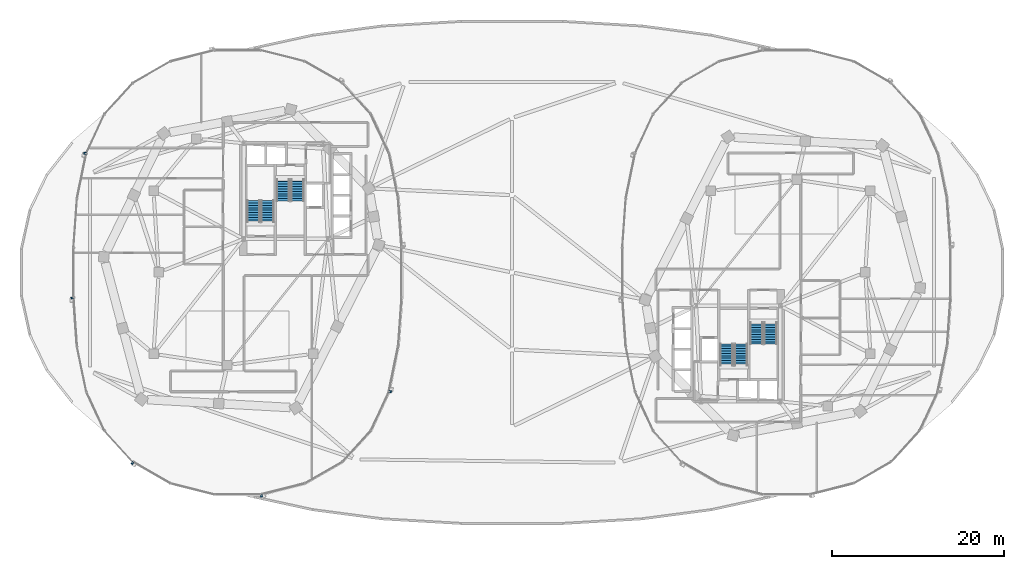
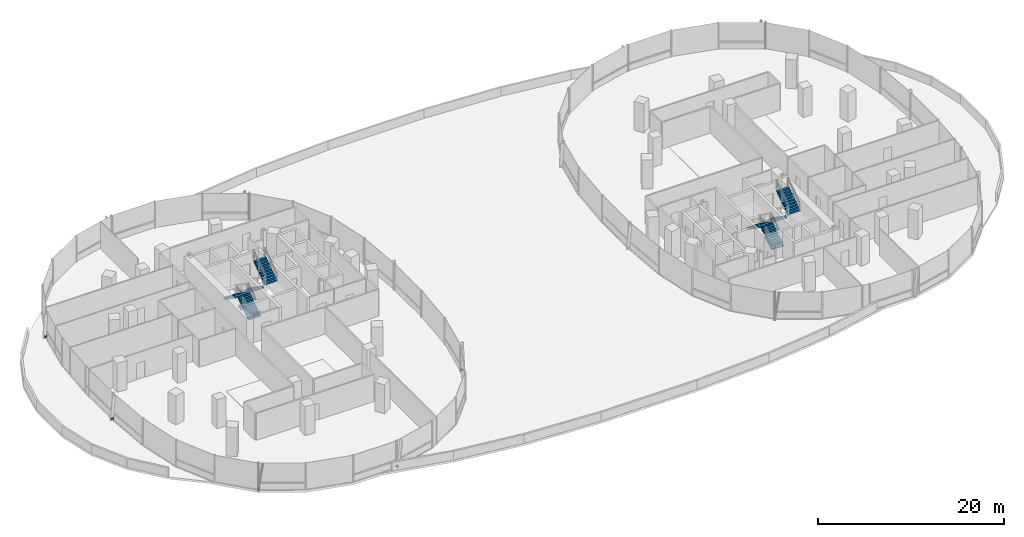
# One storey, part 22 of 28: 8 stair flights, 5 discrete accessories, 4 elements without a shape of their own.
"""IFC4 building model written with IfcOpenShell, lengths in metres."""

from ifc_helpers import new_model, si_unit, direction, frame, origin, origin_2d, place, context, subcontext, project, spatial, polyline, rectangle, outline, extrude, material, type_object, element, aggregate, save


model = new_model("IFC4")

# Units and contexts
model_context = context("Model", 3, precision=1e-05, world=origin(), true_north=direction((0.0, 1.0)))
body_context = subcontext(model_context, "Body", "Model", "MODEL_VIEW")
ifc_project = project(units=[si_unit("LENGTHUNIT", "METRE"), si_unit("AREAUNIT", "SQUARE_METRE"), si_unit("VOLUMEUNIT", "CUBIC_METRE"), si_unit("PLANEANGLEUNIT", "RADIAN"), si_unit("MASSUNIT", "GRAM", prefix="KILO"), si_unit("THERMODYNAMICTEMPERATUREUNIT", "KELVIN"), si_unit("POWERUNIT", "WATT")], contexts=[model_context])

# Site, building, storey
site_placement = place(None, origin())
site = spatial("IfcSite", under=ifc_project, at=site_placement, CompositionType="ELEMENT")
building_placement = place(site_placement, origin())
building = spatial("IfcBuilding", under=site, at=building_placement, Name="Cundina Bronze Exchange", CompositionType="ELEMENT")
storey_placement = place(building_placement, frame((0.0, 0.0, 24.0)))
storey = spatial("IfcBuildingStorey", under=building, at=storey_placement, Name="L05", CompositionType="ELEMENT", Elevation=24.0)

# Stair, stair flights
ifc_material_1 = material(Name="Concrete C40/50", Category="concrete")
stair_type = type_object("IfcStairType", Name="STR-TRD-380", PredefinedType="HALF_TURN_STAIR", material=ifc_material_1)
stair_1_placement = place(storey_placement, origin())
stair_1 = element("IfcStair", 1, at=stair_1_placement, inside=storey, type_object=stair_type, Name="L05 Smokeproof Exit Stair W1", PredefinedType="HALF_TURN_STAIR")
stair_flight_type = type_object("IfcStairFlightType", Name="FLG-TRD-190", PredefinedType="STRAIGHT", material=ifc_material_1)
stair_flight_1_placement = place(storey_placement, frame((-28.489990234375, 5.85009765625, 0.0), z_axis=(0.0, 0.0, 1.0), x_axis=(0.0, 1.0, 0.0)))
stair_flight_1 = element("IfcStairFlight", 2, at=stair_flight_1_placement, type_object=stair_flight_type, Name="ST-W1 flight 1", NumberOfRisers=10, NumberOfTreads=9, PredefinedType="STRAIGHT", RiserHeight=0.19, TreadLength=0.28, context=body_context, shape_type="SweptSolid", body=[
    extrude(outline(polyline([(0.0, 0.0), (0.0, 0.18994140625), (0.280029296875, 0.18994140625), (0.280029296875, 0.3798828125), (0.56005859375, 0.3798828125), (0.56005859375, 0.570068359375), (0.840087890625, 0.570068359375), (0.840087890625, 0.760009765625), (1.1201171875, 0.760009765625), (1.1201171875, 0.949951171875), (1.39990234375, 0.949951171875), (1.39990234375, 1.139892578125), (1.679931640625, 1.139892578125), (1.679931640625, 1.330078125), (1.9599609375, 1.330078125), (1.9599609375, 1.52001953125), (2.239990234375, 1.52001953125), (2.239990234375, 1.7099609375), (2.52001953125, 1.7099609375), (2.52001953125, 1.89990234375), (2.52001953125, 1.52880859375), (0.266845703125, 0.0), (0.0, 0.0)])), frame((0.0, 0.75, 0.0), z_axis=(0.0, -1.0, 0.0), x_axis=(1.0, 0.0, 0.0)), (0.0, 0.0, 1.0), 1.5),
])
stair_flight_2_placement = place(storey_placement, frame((-30.14990234375, 8.3701171875, 1.89990234375), z_axis=(0.0, 0.0, 1.0), x_axis=(0.0, -1.0, 0.0)))
stair_flight_2 = element("IfcStairFlight", 3, at=stair_flight_2_placement, type_object=stair_flight_type, Name="ST-W1 flight 2", NumberOfRisers=10, NumberOfTreads=9, PredefinedType="STRAIGHT", RiserHeight=0.19, TreadLength=0.28, context=body_context, shape_type="SweptSolid", body=[
    extrude(outline(polyline([(0.0, 0.0), (0.0, 0.18994140625), (0.280029296875, 0.18994140625), (0.280029296875, 0.3798828125), (0.56005859375, 0.3798828125), (0.56005859375, 0.570068359375), (0.840087890625, 0.570068359375), (0.840087890625, 0.760009765625), (1.1201171875, 0.760009765625), (1.1201171875, 0.949951171875), (1.39990234375, 0.949951171875), (1.39990234375, 1.139892578125), (1.679931640625, 1.139892578125), (1.679931640625, 1.330078125), (1.9599609375, 1.330078125), (1.9599609375, 1.52001953125), (2.239990234375, 1.52001953125), (2.239990234375, 1.7099609375), (2.52001953125, 1.7099609375), (2.52001953125, 1.89990234375), (2.52001953125, 1.52880859375), (0.266845703125, 0.0), (0.0, 0.0)])), frame((0.0, 0.75, 0.0), z_axis=(0.0, -1.0, 0.0), x_axis=(1.0, 0.0, 0.0)), (0.0, 0.0, 1.0), 1.5),
])
aggregate(stair_1, [stair_flight_1, stair_flight_2])

stair_2_placement = place(storey_placement, origin())
stair_2 = element("IfcStair", 4, at=stair_2_placement, inside=storey, type_object=stair_type, Name="L05 Smokeproof Exit Stair W2", PredefinedType="HALF_TURN_STAIR")
stair_flight_3_placement = place(storey_placement, frame((-26.68994140625, 10.85009765625, 0.0), z_axis=(0.0, 0.0, 1.0), x_axis=(0.0, -1.0, 0.0)))
stair_flight_3 = element("IfcStairFlight", 5, at=stair_flight_3_placement, type_object=stair_flight_type, Name="ST-W2 flight 1", NumberOfRisers=10, NumberOfTreads=9, PredefinedType="STRAIGHT", RiserHeight=0.19, TreadLength=0.28, context=body_context, shape_type="SweptSolid", body=[
    extrude(outline(polyline([(0.0, 0.0), (0.0, 0.18994140625), (0.280029296875, 0.18994140625), (0.280029296875, 0.3798828125), (0.56005859375, 0.3798828125), (0.56005859375, 0.570068359375), (0.840087890625, 0.570068359375), (0.840087890625, 0.760009765625), (1.1201171875, 0.760009765625), (1.1201171875, 0.949951171875), (1.39990234375, 0.949951171875), (1.39990234375, 1.139892578125), (1.679931640625, 1.139892578125), (1.679931640625, 1.330078125), (1.9599609375, 1.330078125), (1.9599609375, 1.52001953125), (2.239990234375, 1.52001953125), (2.239990234375, 1.7099609375), (2.52001953125, 1.7099609375), (2.52001953125, 1.89990234375), (2.52001953125, 1.52880859375), (0.266845703125, 0.0), (0.0, 0.0)])), frame((0.0, 0.75, 0.0), z_axis=(0.0, -1.0, 0.0), x_axis=(1.0, 0.0, 0.0)), (0.0, 0.0, 1.0), 1.5),
])
stair_flight_4_placement = place(storey_placement, frame((-25.030029296875, 8.330078125, 1.89990234375), z_axis=(0.0, 0.0, 1.0), x_axis=(0.0, 1.0, 0.0)))
stair_flight_4 = element("IfcStairFlight", 6, at=stair_flight_4_placement, type_object=stair_flight_type, Name="ST-W2 flight 2", NumberOfRisers=10, NumberOfTreads=9, PredefinedType="STRAIGHT", RiserHeight=0.19, TreadLength=0.28, context=body_context, shape_type="SweptSolid", body=[
    extrude(outline(polyline([(0.0, 0.0), (0.0, 0.18994140625), (0.280029296875, 0.18994140625), (0.280029296875, 0.3798828125), (0.56005859375, 0.3798828125), (0.56005859375, 0.570068359375), (0.840087890625, 0.570068359375), (0.840087890625, 0.760009765625), (1.1201171875, 0.760009765625), (1.1201171875, 0.949951171875), (1.39990234375, 0.949951171875), (1.39990234375, 1.139892578125), (1.679931640625, 1.139892578125), (1.679931640625, 1.330078125), (1.9599609375, 1.330078125), (1.9599609375, 1.52001953125), (2.239990234375, 1.52001953125), (2.239990234375, 1.7099609375), (2.52001953125, 1.7099609375), (2.52001953125, 1.89990234375), (2.52001953125, 1.52880859375), (0.266845703125, 0.0), (0.0, 0.0)])), frame((0.0, 0.75, 0.0), z_axis=(0.0, -1.0, 0.0), x_axis=(1.0, 0.0, 0.0)), (0.0, 0.0, 1.0), 1.5),
])
aggregate(stair_2, [stair_flight_3, stair_flight_4])

stair_3_placement = place(storey_placement, origin())
stair_3 = element("IfcStair", 7, at=stair_3_placement, inside=storey, type_object=stair_type, Name="L05 Smokeproof Exit Stair E1", PredefinedType="HALF_TURN_STAIR")
stair_flight_5_placement = place(storey_placement, frame((28.489990234375, -5.85009765625, 0.0), z_axis=(0.0, 0.0, 1.0), x_axis=(0.0, -1.0, 0.0)))
stair_flight_5 = element("IfcStairFlight", 8, at=stair_flight_5_placement, type_object=stair_flight_type, Name="ST-E1 flight 1", NumberOfRisers=10, NumberOfTreads=9, PredefinedType="STRAIGHT", RiserHeight=0.19, TreadLength=0.28, context=body_context, shape_type="SweptSolid", body=[
    extrude(outline(polyline([(0.0, 0.0), (0.0, 0.18994140625), (0.280029296875, 0.18994140625), (0.280029296875, 0.3798828125), (0.56005859375, 0.3798828125), (0.56005859375, 0.570068359375), (0.840087890625, 0.570068359375), (0.840087890625, 0.760009765625), (1.1201171875, 0.760009765625), (1.1201171875, 0.949951171875), (1.39990234375, 0.949951171875), (1.39990234375, 1.139892578125), (1.679931640625, 1.139892578125), (1.679931640625, 1.330078125), (1.9599609375, 1.330078125), (1.9599609375, 1.52001953125), (2.239990234375, 1.52001953125), (2.239990234375, 1.7099609375), (2.52001953125, 1.7099609375), (2.52001953125, 1.89990234375), (2.52001953125, 1.52880859375), (0.266845703125, 0.0), (0.0, 0.0)])), frame((0.0, 0.75, 0.0), z_axis=(0.0, -1.0, 0.0), x_axis=(1.0, 0.0, 0.0)), (0.0, 0.0, 1.0), 1.5),
])
stair_flight_6_placement = place(storey_placement, frame((30.14990234375, -8.3701171875, 1.89990234375), z_axis=(0.0, 0.0, 1.0), x_axis=(0.0, 1.0, 0.0)))
stair_flight_6 = element("IfcStairFlight", 9, at=stair_flight_6_placement, type_object=stair_flight_type, Name="ST-E1 flight 2", NumberOfRisers=10, NumberOfTreads=9, PredefinedType="STRAIGHT", RiserHeight=0.19, TreadLength=0.28, context=body_context, shape_type="SweptSolid", body=[
    extrude(outline(polyline([(0.0, 0.0), (0.0, 0.18994140625), (0.280029296875, 0.18994140625), (0.280029296875, 0.3798828125), (0.56005859375, 0.3798828125), (0.56005859375, 0.570068359375), (0.840087890625, 0.570068359375), (0.840087890625, 0.760009765625), (1.1201171875, 0.760009765625), (1.1201171875, 0.949951171875), (1.39990234375, 0.949951171875), (1.39990234375, 1.139892578125), (1.679931640625, 1.139892578125), (1.679931640625, 1.330078125), (1.9599609375, 1.330078125), (1.9599609375, 1.52001953125), (2.239990234375, 1.52001953125), (2.239990234375, 1.7099609375), (2.52001953125, 1.7099609375), (2.52001953125, 1.89990234375), (2.52001953125, 1.52880859375), (0.266845703125, 0.0), (0.0, 0.0)])), frame((0.0, 0.75, 0.0), z_axis=(0.0, -1.0, 0.0), x_axis=(1.0, 0.0, 0.0)), (0.0, 0.0, 1.0), 1.5),
])
aggregate(stair_3, [stair_flight_5, stair_flight_6])

stair_4_placement = place(storey_placement, origin())
stair_4 = element("IfcStair", 10, at=stair_4_placement, inside=storey, type_object=stair_type, Name="L05 Smokeproof Exit Stair E2", PredefinedType="HALF_TURN_STAIR")
stair_flight_7_placement = place(storey_placement, frame((26.68994140625, -10.85009765625, 0.0), z_axis=(0.0, 0.0, 1.0), x_axis=(0.0, 1.0, 0.0)))
stair_flight_7 = element("IfcStairFlight", 11, at=stair_flight_7_placement, type_object=stair_flight_type, Name="ST-E2 flight 1", NumberOfRisers=10, NumberOfTreads=9, PredefinedType="STRAIGHT", RiserHeight=0.19, TreadLength=0.28, context=body_context, shape_type="SweptSolid", body=[
    extrude(outline(polyline([(0.0, 0.0), (0.0, 0.18994140625), (0.280029296875, 0.18994140625), (0.280029296875, 0.3798828125), (0.56005859375, 0.3798828125), (0.56005859375, 0.570068359375), (0.840087890625, 0.570068359375), (0.840087890625, 0.760009765625), (1.1201171875, 0.760009765625), (1.1201171875, 0.949951171875), (1.39990234375, 0.949951171875), (1.39990234375, 1.139892578125), (1.679931640625, 1.139892578125), (1.679931640625, 1.330078125), (1.9599609375, 1.330078125), (1.9599609375, 1.52001953125), (2.239990234375, 1.52001953125), (2.239990234375, 1.7099609375), (2.52001953125, 1.7099609375), (2.52001953125, 1.89990234375), (2.52001953125, 1.52880859375), (0.266845703125, 0.0), (0.0, 0.0)])), frame((0.0, 0.75, 0.0), z_axis=(0.0, -1.0, 0.0), x_axis=(1.0, 0.0, 0.0)), (0.0, 0.0, 1.0), 1.5),
])
stair_flight_8_placement = place(storey_placement, frame((25.030029296875, -8.330078125, 1.89990234375), z_axis=(0.0, 0.0, 1.0), x_axis=(0.0, -1.0, 0.0)))
stair_flight_8 = element("IfcStairFlight", 12, at=stair_flight_8_placement, type_object=stair_flight_type, Name="ST-E2 flight 2", NumberOfRisers=10, NumberOfTreads=9, PredefinedType="STRAIGHT", RiserHeight=0.19, TreadLength=0.28, context=body_context, shape_type="SweptSolid", body=[
    extrude(outline(polyline([(0.0, 0.0), (0.0, 0.18994140625), (0.280029296875, 0.18994140625), (0.280029296875, 0.3798828125), (0.56005859375, 0.3798828125), (0.56005859375, 0.570068359375), (0.840087890625, 0.570068359375), (0.840087890625, 0.760009765625), (1.1201171875, 0.760009765625), (1.1201171875, 0.949951171875), (1.39990234375, 0.949951171875), (1.39990234375, 1.139892578125), (1.679931640625, 1.139892578125), (1.679931640625, 1.330078125), (1.9599609375, 1.330078125), (1.9599609375, 1.52001953125), (2.239990234375, 1.52001953125), (2.239990234375, 1.7099609375), (2.52001953125, 1.7099609375), (2.52001953125, 1.89990234375), (2.52001953125, 1.52880859375), (0.266845703125, 0.0), (0.0, 0.0)])), frame((0.0, 0.75, 0.0), z_axis=(0.0, -1.0, 0.0), x_axis=(1.0, 0.0, 0.0)), (0.0, 0.0, 1.0), 1.5),
])
aggregate(stair_4, [stair_flight_7, stair_flight_8])

# Discrete accessories
ifc_material_2 = material(Name="Anodised Bronze Aluminium 6063-T6", Category="aluminium")
discrete_accessory_type = type_object("IfcDiscreteAccessoryType", Name="ACC-BRK-FIN", PredefinedType="BRACKET", material=ifc_material_2)
for number, where, z_axis, x_axis, name in (
    (13, (-49.788330078125, 13.8896484375, 0.10009765625), (0.0, 0.0, 1.0), (-0.201419845156, -0.979505000486, 0.0), "L05 Fin Support Bracket 5"),
    (14, (-51.264404296875, -2.986083984375, 0.10009765625), (0.0, 0.0, 1.0), (0.070278787473, -0.997527389113, 0.0), "L05 Fin Support Bracket 1"),
    (15, (-44.259521484375, -22.21875, 0.10009765625), (0.0, 0.0, 1.0), (0.867105478933, -0.498124571171, 0.0), "L05 Fin Support Bracket 5"),
    (16, (-29.23974609375, -26.03173828125, 0.10009765625), (0.0, 0.0, 1.0), (0.969488149345, 0.245138182011, 0.0), "L05 Fin Support Bracket 1"),
    (17, (-14.211669921875, -13.8896484375, 0.10009765625), (0.0, 0.0, 1.0), (0.201419845156, 0.979505000486, 0.0), "L05 Fin Support Bracket 5"),
):
    element("IfcDiscreteAccessory", number, at=place(storey_placement, frame(where, z_axis=z_axis, x_axis=x_axis)), inside=storey, type_object=discrete_accessory_type, Name=name, PredefinedType="BRACKET", context=body_context, shape_type="SweptSolid", body=[
        extrude(rectangle(XDim=0.219970703125, YDim=0.320068359375, at=origin_2d()), origin(), (0.0, 0.0, 1.0), 0.239990234375),
    ])

save(model, "model.ifc")
